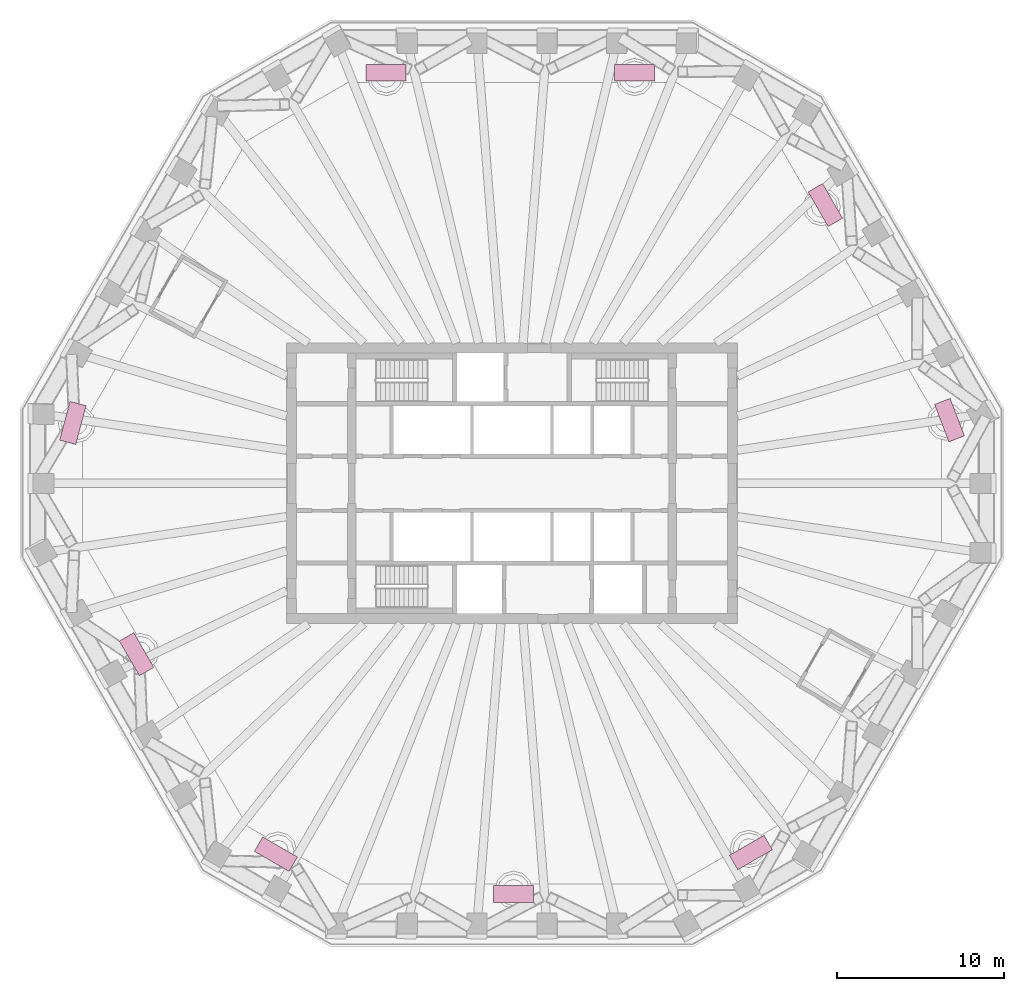
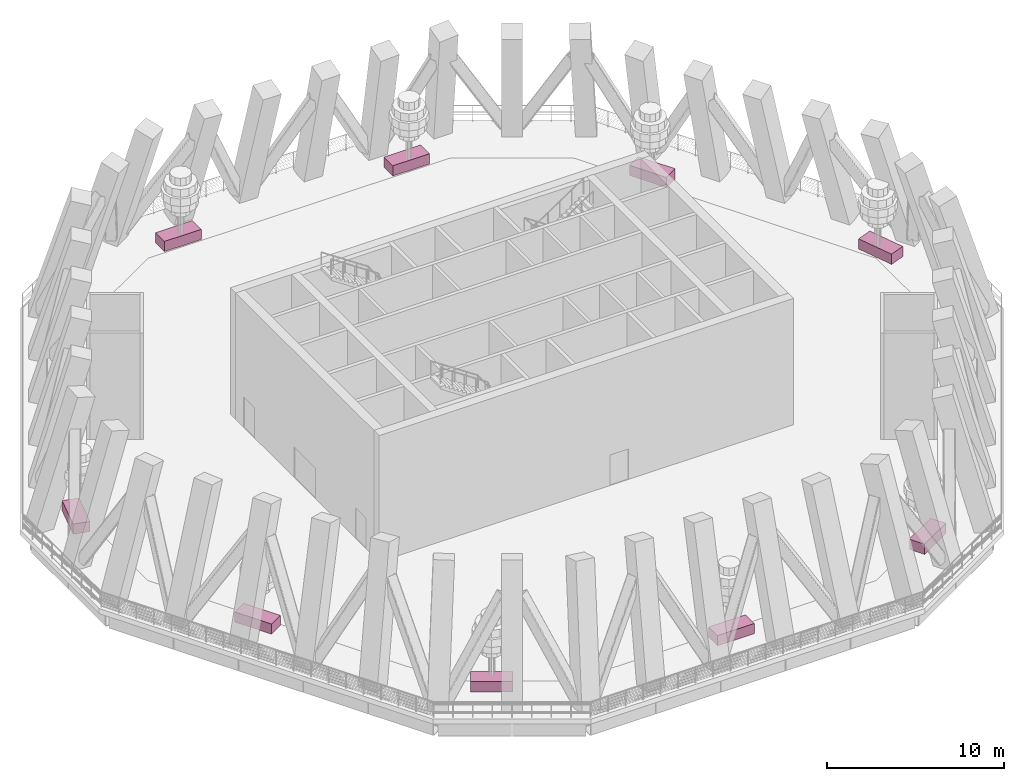
# One storey, part 10 of 11: 9 furniture elements.
"""IFC4 building model written with IfcOpenShell, lengths in metres."""

from ifc_helpers import new_model, si_unit, direction, frame, origin, origin_2d, place, context, subcontext, project, spatial, rectangle, extrude, material, type_object, element, save


model = new_model("IFC4")

# Units and contexts
model_context = context("Model", 3, precision=1e-05, world=origin(), true_north=direction((0.0, 1.0)))
body_context = subcontext(model_context, "Body", "Model", "MODEL_VIEW")
ifc_project = project(units=[si_unit("LENGTHUNIT", "METRE"), si_unit("AREAUNIT", "SQUARE_METRE"), si_unit("VOLUMEUNIT", "CUBIC_METRE"), si_unit("PLANEANGLEUNIT", "RADIAN"), si_unit("MASSUNIT", "GRAM", prefix="KILO")], contexts=[model_context])

# Site, building, storey
site_placement = place(None, origin())
site = spatial("IfcSite", under=ifc_project, at=site_placement, CompositionType="ELEMENT")
building_placement = place(site_placement, origin())
building = spatial("IfcBuilding", under=site, at=building_placement, Name="Frailejon Research Tower", CompositionType="ELEMENT")
storey_placement = place(building_placement, frame((0.0, 0.0, 202.39990234375)))
storey = spatial("IfcBuildingStorey", under=building, at=storey_placement, Name="L44", CompositionType="ELEMENT", Elevation=202.39990234375)

# Furniture
ifc_material = material(Name="Precast concrete C30/37 planter, terracotta", Category="masonry")
furniture_type = type_object("IfcFurnitureType", Name="Terrace planter 2400x1000", AssemblyPlace="NOTDEFINED", PredefinedType="USERDEFINED", material=ifc_material)
for number, where, z_axis, x_axis, name in (
    (1, (26.20751953125, 3.7900390625, 0.0), (0.0, 0.0, 1.0), (-0.357057555342, 0.93408238511, 0.0), "Planter L44"),
    (2, (18.768798828125, 16.674072265625, 0.0), (0.0, 0.0, 1.0), (-0.5, 0.866025403784, 0.0), "Planter L44"),
    (3, (7.341796875, 24.59130859375, 0.0), (0.0, 0.0, 1.0), (-1.0, 0.0, 0.0), "Planter L44"),
    (4, (-7.535400390625, 24.59130859375, 0.0), (0.0, 0.0, 1.0), (-1.0, 0.0, 0.0), "Planter L44"),
    (5, (-26.30419921875, 3.62255859375, 0.0), (0.0, 0.0, 1.0), (-0.258819045103, -0.965925826289, 0.0), "Planter L44"),
    (6, (-22.488037109375, -10.232177734375, 0.0), (0.0, 0.0, 1.0), (0.5, -0.866025403784, 0.0), "Planter L44"),
    (7, (-14.14208984375, -22.20849609375, 0.0), (0.0, 0.0, 1.0), (0.866025403784, -0.5, 0.0), "Planter L44"),
    (8, (0.0966796875, -24.59130859375, 0.0), (0.0, 0.0, 1.0), (1.0, 0.0, 0.0), "Planter L44"),
    (9, (14.3095703125, -22.11181640625, 0.0), (0.0, 0.0, 1.0), (0.866025403784, 0.5, 0.0), "Planter L44"),
):
    element("IfcFurniture", number, at=place(storey_placement, frame(where, z_axis=z_axis, x_axis=x_axis)), inside=storey, type_object=furniture_type, Name=name, ObjectType="PLANTER", PredefinedType="USERDEFINED", context=body_context, shape_type="SweptSolid", body=[
        extrude(rectangle(XDim=2.39990234375, YDim=1.0, at=origin_2d()), origin(), (0.0, 0.0, 1.0), 0.699951171875),
    ])

save(model, "model.ifc")
